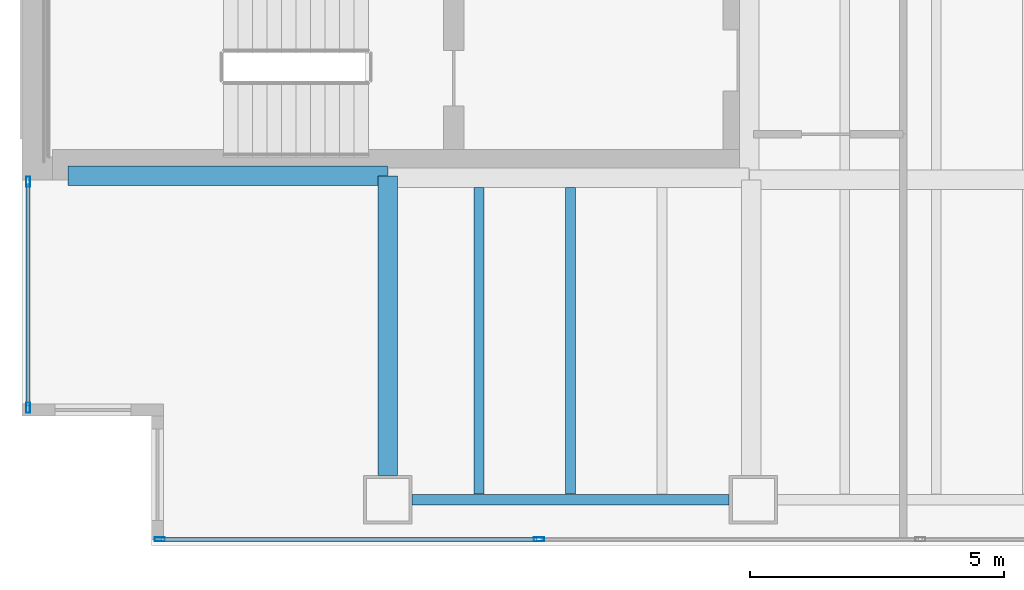
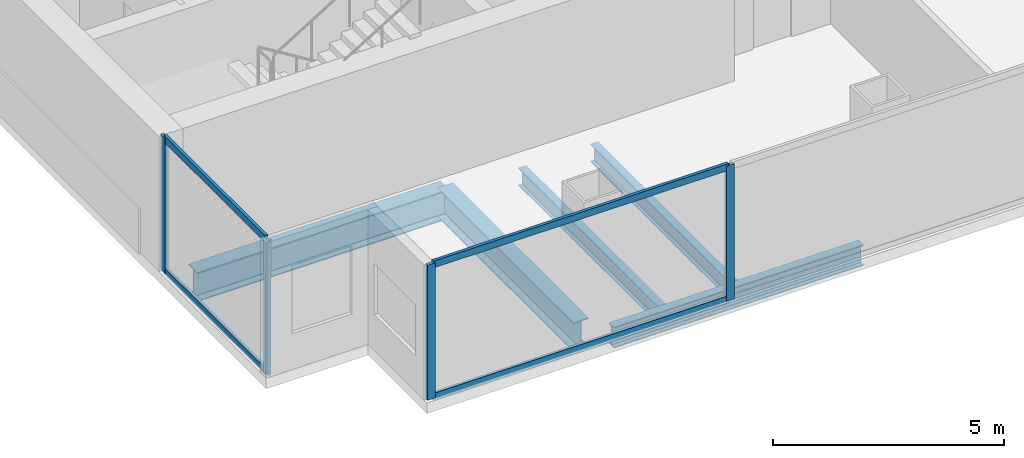
# One storey, part 2 of 23: 8 members, 5 beams, 2 elements without a shape of their own.
"""IFC4 building model written with IfcOpenShell, lengths in metres."""

from ifc_helpers import new_model, si_unit, direction, frame, origin, origin_2d, place, context, subcontext, project, spatial, hollow_rectangle, i_section, extrude, material, material_profile, profile_set, type_object, element, aggregate, save


model = new_model("IFC4")

# Units and contexts
model_context = context("Model", 3, precision=1e-05, world=origin(), true_north=direction((0.0, 1.0)))
body_context = subcontext(model_context, "Body", "Model", "MODEL_VIEW")
ifc_project = project(units=[si_unit("LENGTHUNIT", "METRE"), si_unit("AREAUNIT", "SQUARE_METRE"), si_unit("VOLUMEUNIT", "CUBIC_METRE"), si_unit("PLANEANGLEUNIT", "RADIAN"), si_unit("MASSUNIT", "GRAM", prefix="KILO")], contexts=[model_context])

# Site, building, storey
site_placement = place(None, origin())
site = spatial("IfcSite", under=ifc_project, at=site_placement, CompositionType="ELEMENT")
building_placement = place(site_placement, origin())
building = spatial("IfcBuilding", under=site, at=building_placement, Name="Cobrela Telecom Tower", CompositionType="ELEMENT")
storey_placement = place(building_placement, frame((0.0, 0.0, 81.199951171875)))
storey = spatial("IfcBuildingStorey", under=building, at=storey_placement, Name="L20", CompositionType="ELEMENT", Elevation=81.199951171875)

# Beams
ifc_material_1 = material(Name="Steel ASTM A992 Grade 50", Category="steel")
ifc_material_profile_1 = material_profile(ifc_material_1, i_section(OverallWidth=0.381103515625, OverallDepth=0.77197265625, WebThickness=0.0166015625, FlangeThickness=0.027099609375, FilletRadius=0.01904296875, at=origin_2d()), Name="W30X173")
ifc_profile_set_1 = profile_set([ifc_material_profile_1], Name="Steel ASTM A992 Grade 50")
beam_type_1 = type_object("IfcBeamType", Name="BM-GIRD-04", PredefinedType="USERDEFINED", material=ifc_profile_set_1)
beam_1_placement = place(storey_placement, frame((0.905029296875, 7.280029296875, -0.666015625), z_axis=(1.0, 0.0, 0.0), x_axis=(0.0, 1.0, 0.0)))
element("IfcBeam", 1, at=beam_1_placement, inside=storey, type_object=beam_type_1, Name="L20 Primary Girder X06", ObjectType="GIRDER", PredefinedType="USERDEFINED", context=body_context, shape_type="SweptSolid", body=[
    extrude(i_section(OverallWidth=0.381103515625, OverallDepth=0.77197265625, WebThickness=0.0166015625, FlangeThickness=0.027099609375, FilletRadius=0.01904296875, at=origin_2d()), origin(), (0.0, 0.0, 1.0), 6.2900390625),
])
beam_2_placement = place(storey_placement, frame((7.199951171875, 1.3798828125, -0.666015625), z_axis=(0.0, 1.0, 0.0), x_axis=(-1.0, 0.0, 0.0)))
element("IfcBeam", 2, at=beam_2_placement, inside=storey, type_object=beam_type_1, Name="L20 Primary Girder Y32", ObjectType="GIRDER", PredefinedType="USERDEFINED", context=body_context, shape_type="SweptSolid", body=[
    extrude(i_section(OverallWidth=0.381103515625, OverallDepth=0.77197265625, WebThickness=0.0166015625, FlangeThickness=0.027099609375, FilletRadius=0.01904296875, at=origin_2d()), origin(), (0.0, 0.0, 1.0), 5.89501953125),
])
ifc_material_profile_2 = material_profile(ifc_material_1, i_section(OverallWidth=0.193115234375, OverallDepth=0.467041015625, WebThickness=0.011474609375, FlangeThickness=0.01904296875, FilletRadius=0.012939453125, at=origin_2d()), Name="W18X65")
ifc_profile_set_2 = profile_set([ifc_material_profile_2], Name="Steel ASTM A992 Grade 50")
beam_type_2 = type_object("IfcBeamType", Name="BM-JOIST-03", PredefinedType="JOIST", material=ifc_profile_set_2)
for number, where, z_axis, x_axis, name in (
    (3, (9.0, 1.011474609375, -0.513427734375), (0.0, 1.0, 0.0), (-1.0, 0.0, 0.0), "L20 Secondary Composite Floor Beam J01"),
    (4, (10.800048828125, 1.011474609375, -0.513427734375), (0.0, 1.0, 0.0), (-1.0, 0.0, 0.0), "L20 Secondary Composite Floor Beam J03"),
):
    element("IfcBeam", number, at=place(storey_placement, frame(where, z_axis=z_axis, x_axis=x_axis)), inside=storey, type_object=beam_type_2, Name=name, PredefinedType="JOIST", context=body_context, shape_type="SweptSolid", body=[
        extrude(i_section(OverallWidth=0.193115234375, OverallDepth=0.467041015625, WebThickness=0.011474609375, FlangeThickness=0.01904296875, FilletRadius=0.012939453125, at=origin_2d()), origin(), (0.0, 0.0, 1.0), 6.032958984375),
    ])
ifc_material_profile_3 = material_profile(ifc_material_1, i_section(OverallWidth=0.212890625, OverallDepth=0.549072265625, WebThickness=0.0146484375, FlangeThickness=0.023681640625, FilletRadius=0.013916015625, at=origin_2d()), Name="W21X93")
ifc_profile_set_3 = profile_set([ifc_material_profile_3], Name="Steel ASTM A992 Grade 50")
beam_type_3 = type_object("IfcBeamType", Name="BM-SPAND-03", PredefinedType="SPANDREL", material=ifc_profile_set_3)
beam_3_placement = place(storey_placement, frame((7.679931640625, 0.89990234375, -0.554443359375), z_axis=(1.0, 0.0, 0.0), x_axis=(0.0, 1.0, 0.0)))
element("IfcBeam", 5, at=beam_3_placement, inside=storey, type_object=beam_type_3, Name="L20 Perimeter Spandrel X01", PredefinedType="SPANDREL", context=body_context, shape_type="SweptSolid", body=[
    extrude(i_section(OverallWidth=0.212890625, OverallDepth=0.549072265625, WebThickness=0.0146484375, FlangeThickness=0.023681640625, FilletRadius=0.013916015625, at=origin_2d()), origin(), (0.0, 0.0, 1.0), 6.239990234375),
])

# Curtain wall, members
ifc_material_2 = material(Name="Anodized Bronze Aluminium 6063-T6", Category="aluminium")
curtain_wall_type = type_object("IfcCurtainWallType", Name="CW-SYS-DATA", PredefinedType="USERDEFINED", material=ifc_material_2)
curtain_wall_1_placement = place(storey_placement, origin())
curtain_wall_1 = element("IfcCurtainWall", 6, at=curtain_wall_1_placement, inside=storey, type_object=curtain_wall_type, Name="L20 Unitised Bronze Curtain Wall 03", ObjectType="UNITISED CURTAIN WALL", PredefinedType="USERDEFINED")
ifc_material_profile_4 = material_profile(ifc_material_2, hollow_rectangle(XDim=0.080078125, YDim=0.199951171875, WallThickness=0.00390625, at=origin_2d()), Name="ALU 80x200x4")
ifc_profile_set_4 = profile_set([ifc_material_profile_4], Name="Anodized Bronze Aluminium 6063-T6")
member_type_1 = type_object("IfcMemberType", Name="CW-SYS-DATA-MUL", PredefinedType="MULLION", material=ifc_profile_set_4)
member_1_placement = place(storey_placement, frame((0.1201171875, 2.7099609375, 0.0), z_axis=(0.0, 0.0, 1.0), x_axis=(-1.0, 0.0, 0.0)))
member_1 = element("IfcMember", 7, at=member_1_placement, type_object=member_type_1, Name="CW-DATA mullion 1", PredefinedType="MULLION", context=body_context, shape_type="SweptSolid", body=[
    extrude(hollow_rectangle(XDim=0.080078125, YDim=0.199951171875, WallThickness=0.00390625, at=origin_2d()), origin(), (0.0, 0.0, 1.0), 3.570068359375),
])
member_2_placement = place(storey_placement, frame((0.1201171875, 7.159912109375, 0.0), z_axis=(0.0, 0.0, 1.0), x_axis=(-1.0, 0.0, 0.0)))
member_2 = element("IfcMember", 8, at=member_2_placement, type_object=member_type_1, Name="CW-DATA mullion 2", PredefinedType="MULLION", context=body_context, shape_type="SweptSolid", body=[
    extrude(hollow_rectangle(XDim=0.080078125, YDim=0.199951171875, WallThickness=0.00390625, at=origin_2d()), origin(), (0.0, 0.0, 1.0), 3.570068359375),
])

curtain_wall_2_placement = place(storey_placement, origin())
curtain_wall_2 = element("IfcCurtainWall", 9, at=curtain_wall_2_placement, inside=storey, type_object=curtain_wall_type, Name="L20 Unitised Bronze Curtain Wall 17", ObjectType="UNITISED CURTAIN WALL", PredefinedType="USERDEFINED")
member_3_placement = place(storey_placement, frame((10.179931640625, 0.1201171875, 0.0), z_axis=(0.0, 0.0, 1.0), x_axis=(0.0, -1.0, 0.0)))
member_3 = element("IfcMember", 10, at=member_3_placement, type_object=member_type_1, Name="CW-DATA mullion 6", PredefinedType="MULLION", context=body_context, shape_type="SweptSolid", body=[
    extrude(hollow_rectangle(XDim=0.080078125, YDim=0.199951171875, WallThickness=0.00390625, at=origin_2d()), origin(), (0.0, 0.0, 1.0), 3.570068359375),
])
member_4_placement = place(storey_placement, frame((2.7099609375, 0.1201171875, 0.0), z_axis=(0.0, 0.0, 1.0), x_axis=(0.0, -1.0, 0.0)))
member_4 = element("IfcMember", 11, at=member_4_placement, type_object=member_type_1, Name="CW-DATA mullion 7", PredefinedType="MULLION", context=body_context, shape_type="SweptSolid", body=[
    extrude(hollow_rectangle(XDim=0.080078125, YDim=0.199951171875, WallThickness=0.00390625, at=origin_2d()), origin(), (0.0, 0.0, 1.0), 3.570068359375),
])

# Member
ifc_material_profile_5 = material_profile(ifc_material_2, hollow_rectangle(XDim=0.074951171875, YDim=0.179931640625, WallThickness=0.00390625, at=origin_2d()), Name="ALU 75x180x4")
ifc_profile_set_5 = profile_set([ifc_material_profile_5], Name="Anodized Bronze Aluminium 6063-T6")
member_type_2 = type_object("IfcMemberType", Name="CW-SYS-DATA-TRN", PredefinedType="USERDEFINED", material=ifc_profile_set_5)
member_5_placement = place(storey_placement, frame((0.1201171875, 2.75, 0.03759765625), z_axis=(0.0, 1.0, 0.0), x_axis=(-1.0, 0.0, 0.0)))
member_5 = element("IfcMember", 12, at=member_5_placement, type_object=member_type_2, Name="CW-DATA transom 1.1", ObjectType="TRANSOM", PredefinedType="USERDEFINED", context=body_context, shape_type="SweptSolid", body=[
    extrude(hollow_rectangle(XDim=0.074951171875, YDim=0.179931640625, WallThickness=0.00390625, at=origin_2d()), origin(), (0.0, 0.0, 1.0), 4.3701171875),
])

member_6_placement = place(storey_placement, frame((0.1201171875, 2.75, 3.532470703125), z_axis=(0.0, 1.0, 0.0), x_axis=(-1.0, 0.0, 0.0)))
member_6 = element("IfcMember", 13, at=member_6_placement, type_object=member_type_2, Name="CW-DATA transom 1.2", ObjectType="TRANSOM", PredefinedType="USERDEFINED", context=body_context, shape_type="SweptSolid", body=[
    extrude(hollow_rectangle(XDim=0.074951171875, YDim=0.179931640625, WallThickness=0.00390625, at=origin_2d()), origin(), (0.0, 0.0, 1.0), 4.3701171875),
])

aggregate(curtain_wall_1, [member_1, member_2, member_5, member_6])

member_7_placement = place(storey_placement, frame((10.139892578125, 0.1201171875, 0.03759765625), z_axis=(-1.0, 0.0, 0.0), x_axis=(0.0, -1.0, 0.0)))
member_7 = element("IfcMember", 14, at=member_7_placement, type_object=member_type_2, Name="CW-DATA transom 6.1", ObjectType="TRANSOM", PredefinedType="USERDEFINED", context=body_context, shape_type="SweptSolid", body=[
    extrude(hollow_rectangle(XDim=0.074951171875, YDim=0.179931640625, WallThickness=0.00390625, at=origin_2d()), origin(), (0.0, 0.0, 1.0), 7.389892578125),
])

member_8_placement = place(storey_placement, frame((10.139892578125, 0.1201171875, 3.532470703125), z_axis=(-1.0, 0.0, 0.0), x_axis=(0.0, -1.0, 0.0)))
member_8 = element("IfcMember", 15, at=member_8_placement, type_object=member_type_2, Name="CW-DATA transom 6.2", ObjectType="TRANSOM", PredefinedType="USERDEFINED", context=body_context, shape_type="SweptSolid", body=[
    extrude(hollow_rectangle(XDim=0.074951171875, YDim=0.179931640625, WallThickness=0.00390625, at=origin_2d()), origin(), (0.0, 0.0, 1.0), 7.389892578125),
])

aggregate(curtain_wall_2, [member_3, member_4, member_7, member_8])

save(model, "model.ifc")
